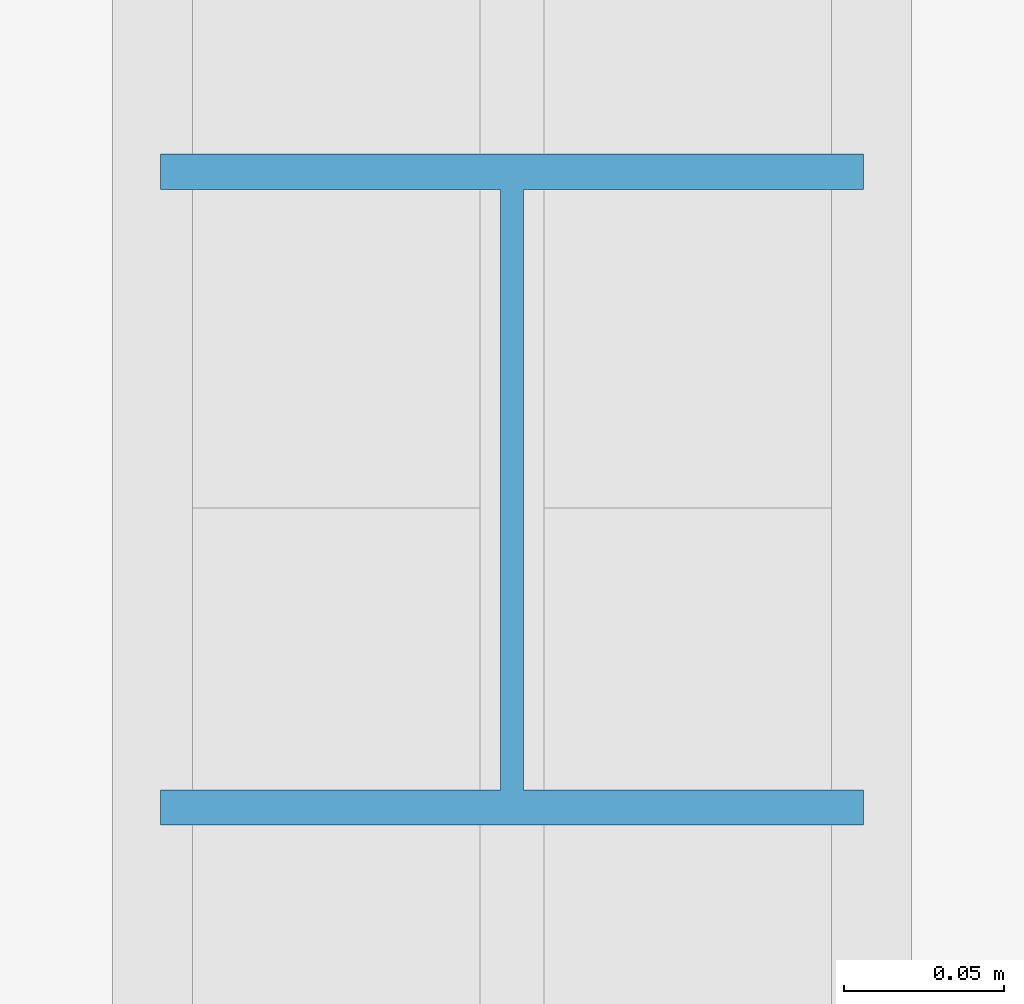
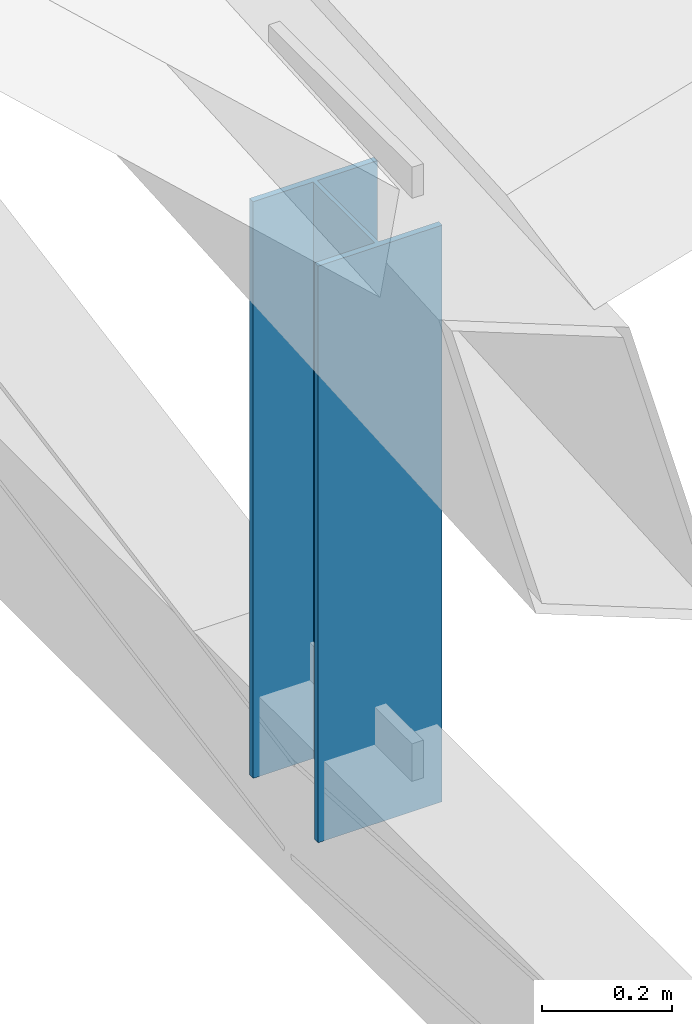
# One storey, part 42 of 142: 1 member.
"""IFC4 building model written with IfcOpenShell, lengths in metres."""

from ifc_helpers import new_model, si_unit, direction, frame, origin, origin_2d, place, context, subcontext, project, spatial, i_section, extrude, material, material_profile, profile_set, type_object, element, save


model = new_model("IFC4")

# Units and contexts
model_context = context("Model", 3, precision=1e-05, world=origin(), true_north=direction((0.0, 1.0)))
body_context = subcontext(model_context, "Body", "Model", "MODEL_VIEW")
ifc_project = project(units=[si_unit("LENGTHUNIT", "METRE"), si_unit("AREAUNIT", "SQUARE_METRE"), si_unit("VOLUMEUNIT", "CUBIC_METRE"), si_unit("PLANEANGLEUNIT", "RADIAN"), si_unit("MASSUNIT", "GRAM", prefix="KILO")], contexts=[model_context])

# Site, building, storey
site_placement = place(None, origin())
site = spatial("IfcSite", under=ifc_project, at=site_placement, CompositionType="ELEMENT")
building_placement = place(site_placement, origin())
building = spatial("IfcBuilding", under=site, at=building_placement, Name="Montelvaro Courts of Justice", CompositionType="ELEMENT")
storey_placement = place(building_placement, frame((0.0, 0.0, 14.39990234375)))
storey = spatial("IfcBuildingStorey", under=building, at=storey_placement, Name="L03", CompositionType="ELEMENT", Elevation=14.39990234375)

# Member
ifc_material = material(Name="Steel S355", Category="steel")
ifc_material_profile = material_profile(ifc_material, i_section(OverallWidth=0.219970703125, OverallDepth=0.2099609375, WebThickness=0.007080078125, FlangeThickness=0.010986328125, at=origin_2d()), Name="HEA 220")
ifc_profile_set = profile_set([ifc_material_profile], Name="Steel S355")
member_type = type_object("IfcMemberType", Name="Mem_HEA220_Post", PredefinedType="POST", material=ifc_profile_set)
member_placement = place(storey_placement, frame((81.050048828125, 60.0, -0.2998046875), z_axis=(0.0, 0.0, 1.0), x_axis=(1.0, 0.0, 0.0)))
element("IfcMember", 1, at=member_placement, inside=storey, type_object=member_type, Name="Roof Truss Post MP-03 ROOF-PASSAGE-VTR04-V2", PredefinedType="POST", context=body_context, shape_type="SweptSolid", body=[
    extrude(i_section(OverallWidth=0.219970703125, OverallDepth=0.2099609375, WebThickness=0.007080078125, FlangeThickness=0.010986328125, at=origin_2d()), origin(), (0.0, 0.0, 1.0), 1.079833984375),
])

save(model, "model.ifc")
